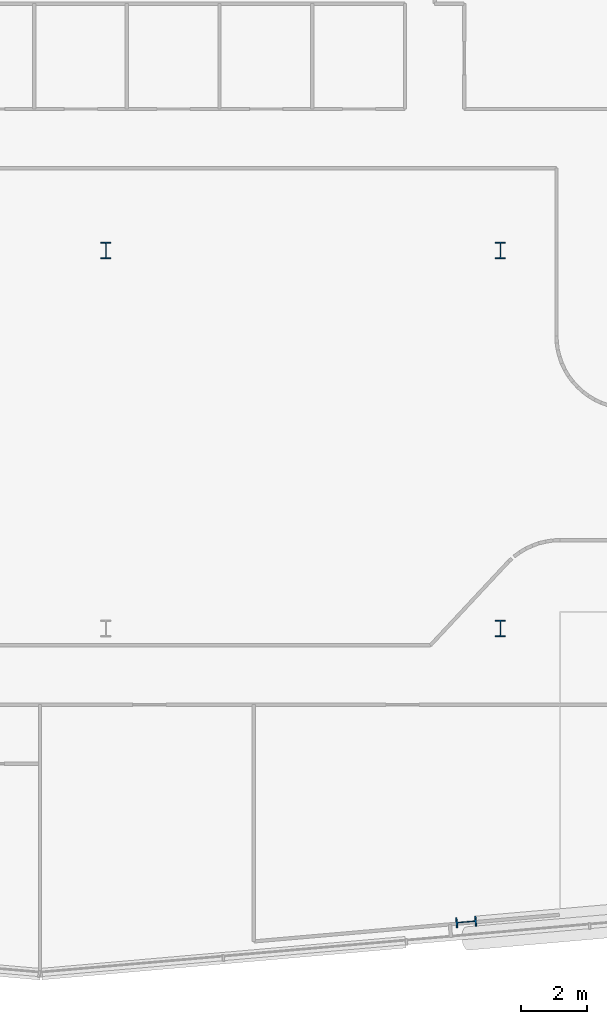
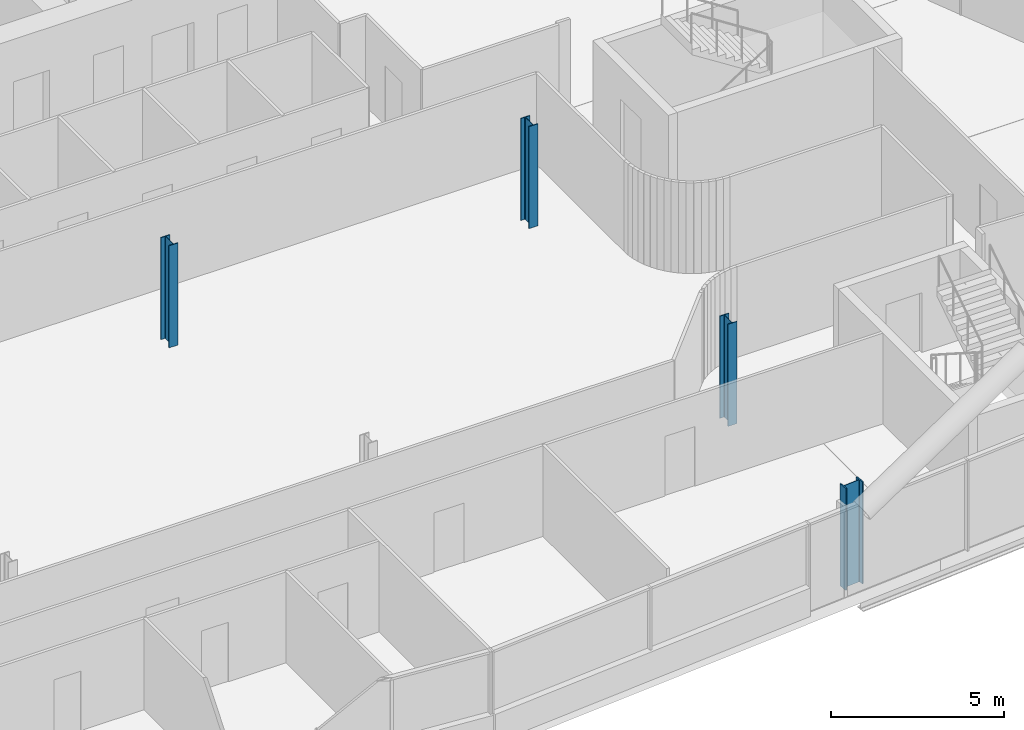
# One storey, part 2 of 29: 4 columns.
"""IFC4 building model written with IfcOpenShell, lengths in metres."""

from ifc_helpers import new_model, si_unit, direction, frame, origin, origin_2d, place, context, subcontext, project, spatial, i_section, extrude, material, material_profile, profile_set, type_object, element, save


model = new_model("IFC4")

# Units and contexts
model_context = context("Model", 3, precision=1e-05, world=origin(), true_north=direction((0.0, 1.0)))
body_context = subcontext(model_context, "Body", "Model", "MODEL_VIEW")
ifc_project = project(units=[si_unit("LENGTHUNIT", "METRE"), si_unit("AREAUNIT", "SQUARE_METRE"), si_unit("VOLUMEUNIT", "CUBIC_METRE"), si_unit("PLANEANGLEUNIT", "RADIAN"), si_unit("MASSUNIT", "GRAM", prefix="KILO")], contexts=[model_context])

# Site, building, storey
site_placement = place(None, origin())
site = spatial("IfcSite", under=ifc_project, at=site_placement, CompositionType="ELEMENT")
building_placement = place(site_placement, origin())
building = spatial("IfcBuilding", under=site, at=building_placement, Name="Wharfspan Tower", CompositionType="ELEMENT")
storey_placement = place(building_placement, frame((0.0, 0.0, 162.699951)))
storey = spatial("IfcBuildingStorey", under=building, at=storey_placement, Name="L39", CompositionType="ELEMENT", Elevation=162.699951)

# Columns
ifc_material = material(Name="Steel S355J2", Category="steel")
ifc_material_profile_1 = material_profile(ifc_material, i_section(OverallWidth=0.300049, OverallDepth=0.5, WebThickness=0.014404, FlangeThickness=0.028076, FilletRadius=0.0271, at=origin_2d()))
ifc_profile_set_1 = profile_set([ifc_material_profile_1], Name="Steel S355J2")
column_type_1 = type_object("IfcColumnType", Name="Column HEB 500", PredefinedType="COLUMN", material=ifc_profile_set_1)
for number, where, z_axis, x_axis, name in (
    (1, (60.0, 11.5, 0.0), (0.0, 0.0, 1.0), (1.0, 0.0, 0.0), "Interior column I.1.4 L39"),
    (2, (48.0, 23.0, 0.0), (0.0, 0.0, 1.0), (1.0, 0.0, 0.0), "Interior column I.2.3 L39"),
    (3, (60.0, 23.0, 0.0), (0.0, 0.0, 1.0), (1.0, 0.0, 0.0), "Interior column I.2.4 L39"),
):
    element("IfcColumn", number, at=place(storey_placement, frame(where, z_axis=z_axis, x_axis=x_axis)), inside=storey, type_object=column_type_1, Name=name, PredefinedType="COLUMN", context=body_context, shape_type="SweptSolid", body=[
        extrude(i_section(OverallWidth=0.300049, OverallDepth=0.5, WebThickness=0.014404, FlangeThickness=0.028076, FilletRadius=0.0271, at=origin_2d()), origin(), (0.0, 0.0, 1.0), 3.600098),
    ])
ifc_material_profile_2 = material_profile(ifc_material, i_section(OverallWidth=0.304932, OverallDepth=0.620117, WebThickness=0.020996, FlangeThickness=0.040039, FilletRadius=0.0271, at=origin_2d()))
ifc_profile_set_2 = profile_set([ifc_material_profile_2], Name="Steel S355J2")
column_type_2 = type_object("IfcColumnType", Name="Column HEM 600", PredefinedType="COLUMN", material=ifc_profile_set_2)
column_placement = place(storey_placement, frame((58.960693, 2.573486, 0.0), z_axis=(0.0, 0.0, 1.0), x_axis=(0.087156, -0.996198, 0.0)))
element("IfcColumn", 4, at=column_placement, inside=storey, type_object=column_type_2, Name="Perimeter column PS2.1 L39", PredefinedType="COLUMN", context=body_context, shape_type="SweptSolid", body=[
    extrude(i_section(OverallWidth=0.304932, OverallDepth=0.620117, WebThickness=0.020996, FlangeThickness=0.040039, FilletRadius=0.0271, at=origin_2d()), origin(), (0.0, 0.0, 1.0), 3.600098),
])

save(model, "model.ifc")
